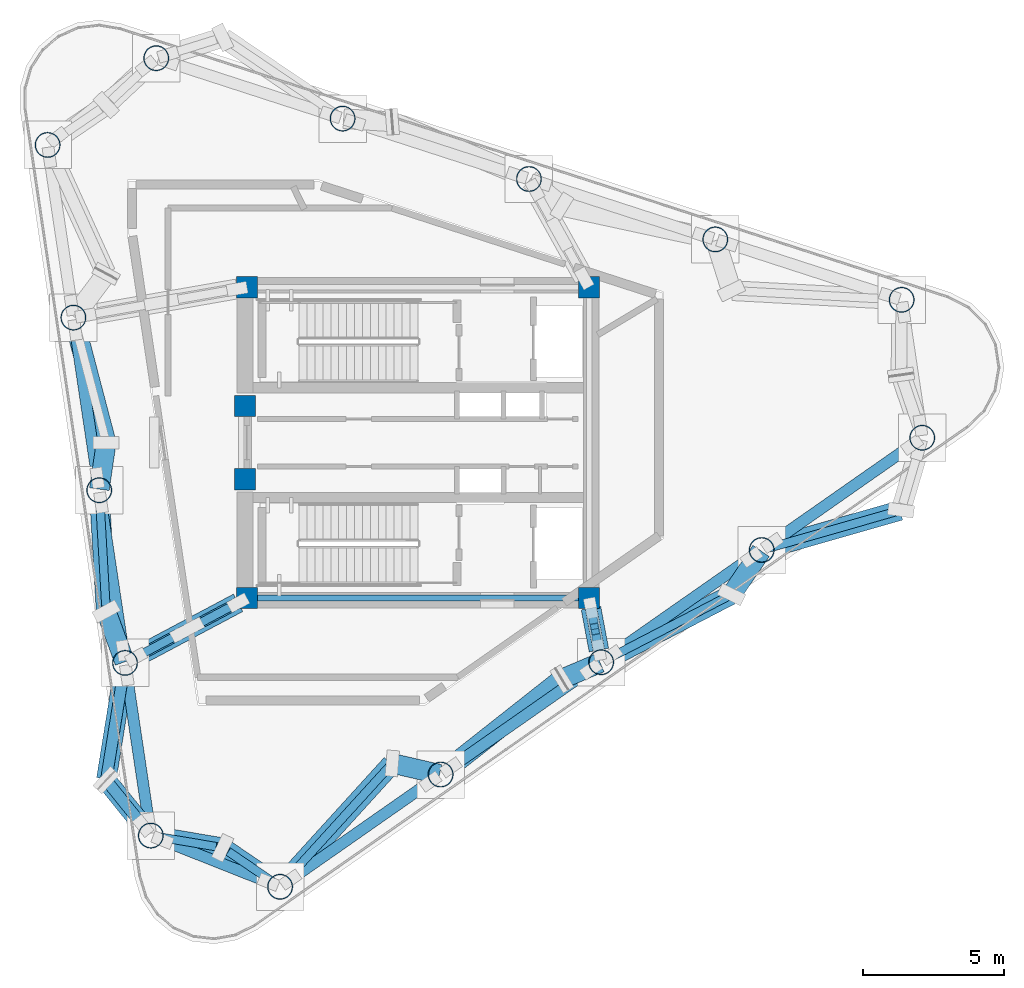
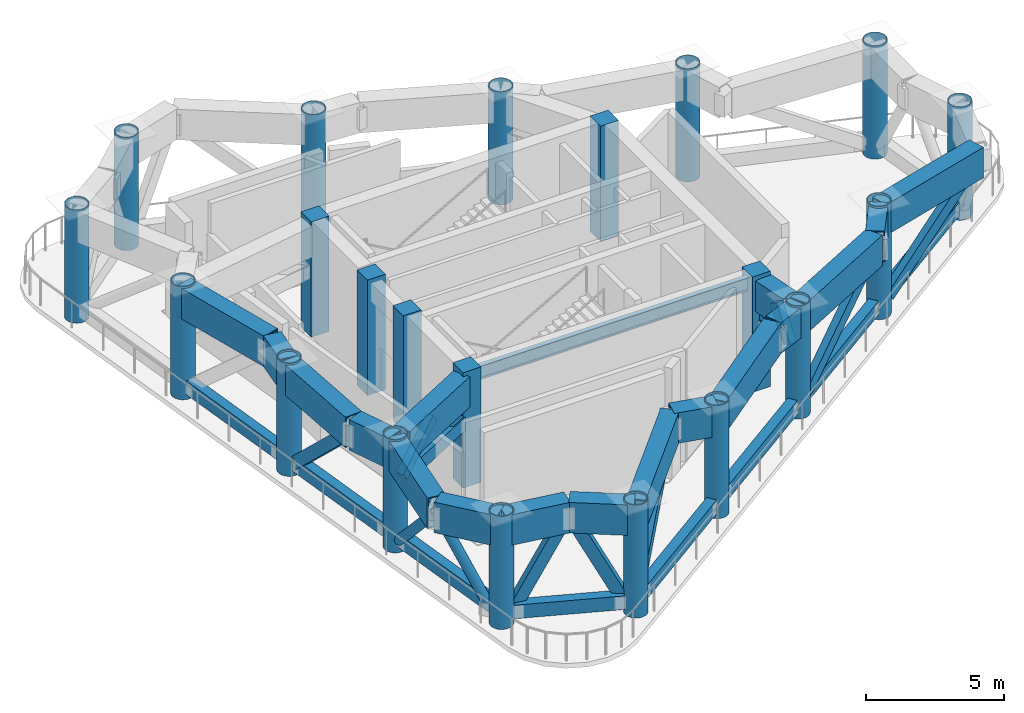
# One storey, part 1 of 9: 22 members, 21 columns, 18 beams.
"""IFC4 building model written with IfcOpenShell, lengths in metres."""

import ifcopenshell
import ifcopenshell.guid

model = None  # the IFC model being written
_history = None  # IfcOwnerHistory: only IFC2X3 demands one
_inside = {}  # id of a spatial element -> (the spatial element, [elements in it])
_under = {}  # id of a project, library or spatial element -> (it, [spatial elements below it])
_declared = {}  # id of a project -> (the project, [libraries it declares])
_typed = {}  # id of a type object -> (the type object, [elements of that type])
_made_of = {}  # id of a material, layer set ... -> (it, [elements and type objects made of it])


def new_model(schema):
    """Start an empty IFC model of exactly this schema.

    Asked for "IFC4X3", IfcOpenShell would pick the latest addendum, in which some entities
    have other attributes; the version numbers below select the first issue.
    IFC2X3 requires an IfcOwnerHistory on every rooted entity: one is made here for all.
    """
    global model, _history
    if schema == "IFC4X3":
        model = ifcopenshell.file(schema_version=(4, 3, 0, 0))
    else:
        model = ifcopenshell.file(schema=schema)
    _inside.clear()
    _under.clear()
    _declared.clear()
    _typed.clear()
    _made_of.clear()
    _history = None
    if model.schema == "IFC2X3":
        org = make("IfcOrganization", Name="unknown")
        user = make(
            "IfcPersonAndOrganization",
            ThePerson=make("IfcPerson", FamilyName="unknown"),
            TheOrganization=org,
        )
        app = make(
            "IfcApplication",
            ApplicationDeveloper=org,
            Version="unknown",
            ApplicationFullName="unknown",
            ApplicationIdentifier="unknown",
        )
        _history = make(
            "IfcOwnerHistory",
            OwningUser=user,
            OwningApplication=app,
            ChangeAction="ADDED",
            CreationDate=0,
        )
    return model


def make(cls, **values):
    """One entity of the class cls with the attributes given. An attribute that is None is left unset."""
    return model.create_entity(
        cls, **{name: value for name, value in values.items() if value is not None}
    )


def rooted(cls, **values):
    """An entity with a GlobalId (a new one), such as an element, a storey or a relation."""
    return make(cls, GlobalId=ifcopenshell.guid.new(), OwnerHistory=_history, **values)


def si_unit(unit_type, name, prefix=None):
    """IfcSIUnit, for example si_unit("LENGTHUNIT", "METRE", prefix="MILLI")."""
    return make("IfcSIUnit", UnitType=unit_type, Prefix=prefix, Name=name)


def assignment(units):
    """IfcUnitAssignment: the units of a project."""
    return None if units is None else make("IfcUnitAssignment", Units=units)


def point(xyz):
    """IfcCartesianPoint."""
    return None if xyz is None else make("IfcCartesianPoint", Coordinates=xyz)


def direction(xyz):
    """IfcDirection."""
    return None if xyz is None else make("IfcDirection", DirectionRatios=xyz)


def frame(location, z_axis=None, x_axis=None):
    """IfcAxis2Placement3D, a coordinate frame: its origin and axes. An axis left out is left unset."""
    return make(
        "IfcAxis2Placement3D",
        Location=point(location),
        Axis=direction(z_axis),
        RefDirection=direction(x_axis),
    )


def frame_2d(location, x_axis=None):
    """IfcAxis2Placement2D, a coordinate frame in the plane: its origin and x axis."""
    return make(
        "IfcAxis2Placement2D", Location=point(location), RefDirection=direction(x_axis)
    )


def origin():
    """The frame at (0, 0, 0) with its axes left unset."""
    return frame((0.0, 0.0, 0.0))


def origin_2d():
    """The frame at (0, 0) in the plane with its x axis left unset."""
    return frame_2d((0.0, 0.0))


def place(relative_to, where):
    """IfcLocalPlacement: puts the frame where relative to a parent placement (None: the world)."""
    return make(
        "IfcLocalPlacement", PlacementRelTo=relative_to, RelativePlacement=where
    )


def context(
    kind, dimensions, precision=None, world=None, true_north=None, identifier=None
):
    """IfcGeometricRepresentationContext, for example the 3D "Model" context."""
    return make(
        "IfcGeometricRepresentationContext",
        ContextIdentifier=identifier,
        ContextType=kind,
        CoordinateSpaceDimension=dimensions,
        Precision=precision,
        WorldCoordinateSystem=world,
        TrueNorth=true_north,
    )


def subcontext(parent, identifier, kind, view, scale=None):
    """IfcGeometricRepresentationSubContext, for example "Body" below "Model"."""
    return make(
        "IfcGeometricRepresentationSubContext",
        ContextIdentifier=identifier,
        ContextType=kind,
        ParentContext=parent,
        TargetScale=scale,
        TargetView=view,
    )


def project(units=None, contexts=None):
    """IfcProject with its units and contexts."""
    return rooted(
        "IfcProject",
        Name="project",
        RepresentationContexts=contexts,
        UnitsInContext=assignment(units),
    )


def spatial(cls, under=None, at=None, **own):
    """A site, building, storey or space (cls), placed at a placement, below another one or the project."""
    s = rooted(cls, ObjectPlacement=at, **own)
    if under is not None:
        _under.setdefault(under.id(), (under, []))[1].append(s)
    return s


def profile(cls, at=None, kind="AREA", **sizes):
    """A parametric profile (cls). Its sizes go by their IFC names, for example OverallWidth=200.0."""
    return make(cls, ProfileType=kind, Position=at, **sizes)


def rectangle(**sizes):
    """IfcRectangleProfileDef."""
    return profile("IfcRectangleProfileDef", **sizes)


def hollow_rectangle(**sizes):
    """IfcRectangleHollowProfileDef."""
    return profile("IfcRectangleHollowProfileDef", **sizes)


def hollow_circle(**sizes):
    """IfcCircleHollowProfileDef."""
    return profile("IfcCircleHollowProfileDef", **sizes)


def i_section(**sizes):
    """IfcIShapeProfileDef."""
    return profile("IfcIShapeProfileDef", **sizes)


def extrude(swept, where, along, depth):
    """IfcExtrudedAreaSolid: the profile swept, set in the frame where, extruded along a direction by depth."""
    return make(
        "IfcExtrudedAreaSolid",
        SweptArea=swept,
        Position=where,
        ExtrudedDirection=direction(along),
        Depth=depth,
    )


def shape(context_of_items, identifier, shape_type, items):
    """IfcShapeRepresentation: the items that make up one representation, for example the "Body"."""
    return make(
        "IfcShapeRepresentation",
        ContextOfItems=context_of_items,
        RepresentationIdentifier=identifier,
        RepresentationType=shape_type,
        Items=items,
    )


def source(mapping_origin, context_of_items, identifier, shape_type, items):
    """IfcRepresentationMap: a shape defined once, which mapped items show again and again."""
    return make(
        "IfcRepresentationMap",
        MappingOrigin=mapping_origin,
        MappedRepresentation=shape(context_of_items, identifier, shape_type, items),
    )


def transform(
    local_origin,
    x_axis=None,
    y_axis=None,
    z_axis=None,
    scale=None,
    scale2=None,
    scale3=None,
    uniform=True,
):
    """IfcCartesianTransformationOperator3D, or its non-uniform kind. x_axis, y_axis, z_axis: its Axis1, 2, 3."""
    if uniform:
        return make(
            "IfcCartesianTransformationOperator3D",
            Axis1=direction(x_axis),
            Axis2=direction(y_axis),
            LocalOrigin=point(local_origin),
            Scale=scale,
            Axis3=direction(z_axis),
        )
    return make(
        "IfcCartesianTransformationOperator3DnonUniform",
        Axis1=direction(x_axis),
        Axis2=direction(y_axis),
        LocalOrigin=point(local_origin),
        Scale=scale,
        Axis3=direction(z_axis),
        Scale2=scale2,
        Scale3=scale3,
    )


def mapped(mapping_source, mapping_target):
    """IfcMappedItem: shows the shape of a source again, moved by a transform."""
    return make(
        "IfcMappedItem", MappingSource=mapping_source, MappingTarget=mapping_target
    )


def material(Name=None, Category=None):
    """IfcMaterial."""
    return make("IfcMaterial", Name=Name, Category=Category)


def material_profile(
    of_material, cross_section, Name=None, Category=None, Priority=None
):
    """IfcMaterialProfile: a cross section and its material."""
    return make(
        "IfcMaterialProfile",
        Name=Name,
        Material=of_material,
        Profile=cross_section,
        Priority=Priority,
        Category=Category,
    )


def profile_set(profiles, Name=None, composite=None):
    """IfcMaterialProfileSet."""
    return make(
        "IfcMaterialProfileSet",
        Name=Name,
        MaterialProfiles=profiles,
        CompositeProfile=composite,
    )


def made_of(thing, what):
    """Note that an element or type object is made of a material, layer set ...; save() writes the relation."""
    if what is not None:
        _made_of.setdefault(what.id(), (what, []))[1].append(thing)
    return thing


def type_object(cls, material=None, **own):
    """A type object (cls), such as IfcWallType, which elements share."""
    return made_of(rooted(cls, **own), material)


def element(
    cls,
    number,
    at=None,
    inside=None,
    cuts=None,
    type_object=None,
    material=None,
    context=None,
    identifier="Body",
    shape_type=None,
    held_by="IfcProductDefinitionShape",
    body=None,
    shapes=None,
    **own,
):
    """One element of the class cls, such as IfcWall. Its Tag is "e" and its number.

    at: its placement. inside: the storey or other place that contains it. cuts: it is an
    opening in that element (IfcRelVoidsElement). A single representation is given by context,
    identifier, shape_type and body (its items); several are given by shapes. held_by: the class
    of the entity that holds the representations. save() writes the other relations.
    """
    e = rooted(cls, Tag="e%d" % number, ObjectPlacement=at, **own)
    if body is not None:
        shapes = [shape(context, identifier, shape_type, body)]
    if shapes is not None:
        e.Representation = make(held_by, Representations=shapes)
    if inside is not None:
        _inside.setdefault(inside.id(), (inside, []))[1].append(e)
    if cuts is not None:
        rooted(
            "IfcRelVoidsElement", RelatingBuildingElement=cuts, RelatedOpeningElement=e
        )
    if type_object is not None:
        _typed.setdefault(type_object.id(), (type_object, []))[1].append(e)
    return made_of(e, material)


def aggregate(whole, parts):
    """IfcRelAggregates: a whole, such as a stair, and the parts it consists of."""
    return rooted("IfcRelAggregates", RelatingObject=whole, RelatedObjects=parts)


def save(model, path):
    """Write the relations noted so far, then the file.

    IfcRelAggregates (storeys below a building ...), IfcRelContainedInSpatialStructure (elements
    in a storey), IfcRelDefinesByType, IfcRelAssociatesMaterial and IfcRelDeclares: one each for
    every whole, place, type object, material and project.
    """
    for whole, parts in _under.values():
        aggregate(whole, parts)
    for where, things in _inside.values():
        rooted(
            "IfcRelContainedInSpatialStructure",
            RelatedElements=things,
            RelatingStructure=where,
        )
    for kind, things in _typed.values():
        rooted("IfcRelDefinesByType", RelatedObjects=things, RelatingType=kind)
    for what, things in _made_of.values():
        rooted("IfcRelAssociatesMaterial", RelatedObjects=things, RelatingMaterial=what)
    for by, libraries in _declared.values():
        rooted("IfcRelDeclares", RelatingContext=by, RelatedDefinitions=libraries)
    model.write(path)


model = new_model("IFC4")

# Units and contexts
model_context = context("Model", 3, precision=1e-05, world=origin(), true_north=direction((0.0, 1.0)))
body_context = subcontext(model_context, "Body", "Model", "MODEL_VIEW")
ifc_project = project(units=[si_unit("LENGTHUNIT", "METRE"), si_unit("AREAUNIT", "SQUARE_METRE"), si_unit("VOLUMEUNIT", "CUBIC_METRE"), si_unit("PLANEANGLEUNIT", "RADIAN"), si_unit("MASSUNIT", "GRAM", prefix="KILO")], contexts=[model_context])

# Site, building, storey
site_placement = place(None, origin())
site = spatial("IfcSite", under=ifc_project, at=site_placement, CompositionType="ELEMENT")
building_placement = place(site_placement, origin())
building = spatial("IfcBuilding", under=site, at=building_placement, Name="Yunling Apex Tower", CompositionType="ELEMENT")
storey_placement = place(building_placement, frame((0.0, 0.0, 284.75)))
storey = spatial("IfcBuildingStorey", under=building, at=storey_placement, Name="RF8", CompositionType="ELEMENT", Elevation=284.75)

# Columns
ifc_material_1 = material(Name="Concrete C50", Category="concrete")
ifc_material_profile_1 = material_profile(ifc_material_1, rectangle(XDim=0.75, YDim=0.75, at=origin_2d()))
ifc_profile_set_1 = profile_set([ifc_material_profile_1], Name="Concrete C50")
column_type_1 = type_object("IfcColumnType", Name="PC-SRC-4", PredefinedType="COLUMN", material=ifc_profile_set_1)
shared_shape_1 = source(origin(), body_context, "Body", "SweptSolid", [
    extrude(rectangle(XDim=0.75, YDim=0.75, at=origin_2d()), origin(), (0.0, 0.0, 1.0), 5.10009765625),
])
for number, where, z_axis, x_axis, name in (
    (1, (-6.050048828125, -5.5, 0.0), (0.0, 0.0, 1.0), (1.0, 0.0, 0.0), "RF8 Core Spine Column CC-SW"),
    (2, (6.050048828125, -5.5, 0.0), (0.0, 0.0, 1.0), (1.0, 0.0, 0.0), "RF8 Core Spine Column CC-SE"),
    (3, (6.050048828125, 5.5, 0.0), (0.0, 0.0, 1.0), (1.0, 0.0, 0.0), "RF8 Core Spine Column CC-NE"),
    (4, (-6.050048828125, 5.5, 0.0), (0.0, 0.0, 1.0), (1.0, 0.0, 0.0), "RF8 Core Spine Column CC-NW"),
    (5, (-6.125, -1.300048828125, 0.0), (0.0, 0.0, 1.0), (1.0, 0.0, 0.0), "RF8 Core West Portal Jamb Column S"),
    (6, (-6.125, 1.300048828125, 0.0), (0.0, 0.0, 1.0), (1.0, 0.0, 0.0), "RF8 Core West Portal Jamb Column N"),
):
    element("IfcColumn", number, at=place(storey_placement, frame(where, z_axis=z_axis, x_axis=x_axis)), inside=storey, type_object=column_type_1, Name=name, PredefinedType="COLUMN", context=body_context, shape_type="MappedRepresentation", body=[
        mapped(shared_shape_1, transform((0.0, 0.0, 0.0), scale=1.0)),
    ])
ifc_material_2 = material(Name="Steel Q355B", Category="steel")
ifc_material_profile_2 = material_profile(ifc_material_2, hollow_circle(Radius=0.449951171875, WallThickness=0.031982421875, at=origin_2d()))
ifc_profile_set_2 = profile_set([ifc_material_profile_2], Name="Steel Q355B")
column_type_2 = type_object("IfcColumnType", Name="MC-CFST-6", PredefinedType="COLUMN", material=ifc_profile_set_2)
shared_shape_2 = source(origin(), body_context, "Body", "SweptSolid", [
    extrude(hollow_circle(Radius=0.449951171875, WallThickness=0.031982421875, at=origin_2d()), origin(), (0.0, 0.0, 1.0), 5.0),
])
for number, where, z_axis, x_axis, name in (
    (7, (-4.8837890625, -15.716796875, 0.0), (0.0, 0.0, 1.0), (1.0, 0.0, 0.0), "RF8 Lower-Block CFST Column P01"),
    (8, (0.797119140625, -11.744873046875, 0.0), (0.0, 0.0, 1.0), (1.0, 0.0, 0.0), "RF8 Lower-Block CFST Column P02"),
    (9, (6.47802734375, -7.77294921875, 0.0), (0.0, 0.0, 1.0), (1.0, 0.0, 0.0), "RF8 Lower-Block CFST Column P03"),
    (10, (12.15869140625, -3.801025390625, 0.0), (0.0, 0.0, 1.0), (1.0, 0.0, 0.0), "RF8 Lower-Block CFST Column P04"),
    (11, (17.839599609375, 0.1708984375, 0.0), (0.0, 0.0, 1.0), (1.0, 0.0, 0.0), "RF8 Lower-Block CFST Column P05"),
    (12, (17.110107421875, 5.052490234375, 0.0), (0.0, 0.0, 1.0), (1.0, 0.0, 0.0), "RF8 Lower-Block CFST Column P06"),
    (13, (10.51611328125, 7.18994140625, 0.0), (0.0, 0.0, 1.0), (1.0, 0.0, 0.0), "RF8 Lower-Block CFST Column P07"),
    (14, (3.92236328125, 9.327392578125, 0.0), (0.0, 0.0, 1.0), (1.0, 0.0, 0.0), "RF8 Lower-Block CFST Column P08"),
    (15, (-2.671630859375, 11.46484375, 0.0), (0.0, 0.0, 1.0), (1.0, 0.0, 0.0), "RF8 Lower-Block CFST Column P09"),
    (16, (-9.265625, 13.602294921875, 0.0), (0.0, 0.0, 1.0), (1.0, 0.0, 0.0), "RF8 Lower-Block CFST Column P10"),
    (17, (-13.10986328125, 10.532470703125, 0.0), (0.0, 0.0, 1.0), (1.0, 0.0, 0.0), "RF8 Lower-Block CFST Column P11"),
    (18, (-12.19677734375, 4.423095703125, 0.0), (0.0, 0.0, 1.0), (1.0, 0.0, 0.0), "RF8 Lower-Block CFST Column P12"),
    (19, (-11.28369140625, -1.686279296875, 0.0), (0.0, 0.0, 1.0), (1.0, 0.0, 0.0), "RF8 Lower-Block CFST Column P13"),
    (20, (-10.37060546875, -7.7958984375, 0.0), (0.0, 0.0, 1.0), (1.0, 0.0, 0.0), "RF8 Lower-Block CFST Column P14"),
    (21, (-9.45751953125, -13.9052734375, 0.0), (0.0, 0.0, 1.0), (1.0, 0.0, 0.0), "RF8 Lower-Block CFST Column P15"),
):
    element("IfcColumn", number, at=place(storey_placement, frame(where, z_axis=z_axis, x_axis=x_axis)), inside=storey, type_object=column_type_2, Name=name, PredefinedType="COLUMN", context=body_context, shape_type="MappedRepresentation", body=[
        mapped(shared_shape_2, transform((0.0, 0.0, 0.0), scale=1.0)),
    ])

# Beam
ifc_material_profile_3 = material_profile(ifc_material_2, i_section(OverallWidth=0.199951171875, OverallDepth=0.60009765625, WebThickness=0.010986328125, FlangeThickness=0.01708984375, FilletRadius=0.02197265625, at=origin_2d()))
ifc_profile_set_3 = profile_set([ifc_material_profile_3], Name="Steel Q355B")
beam_type_1 = type_object("IfcBeamType", Name="BG-PRI-5", PredefinedType="USERDEFINED", material=ifc_profile_set_3)
shared_shape_3 = source(origin(), body_context, "Body", "SweptSolid", [
    extrude(i_section(OverallWidth=0.199951171875, OverallDepth=0.60009765625, WebThickness=0.010986328125, FlangeThickness=0.01708984375, FilletRadius=0.02197265625, at=origin_2d()), origin(), (0.0, 0.0, 1.0), 11.7998046875),
])
beam_1_placement = place(storey_placement, frame((-5.89990234375, -5.5, 4.6201171875), z_axis=(1.0, 0.0, 0.0), x_axis=(0.0, 1.0, 0.0)))
element("IfcBeam", 22, at=beam_1_placement, inside=storey, type_object=beam_type_1, Name="RF8 Core Ring Tie Beam 1", ObjectType="GIRDER", PredefinedType="USERDEFINED", context=body_context, shape_type="MappedRepresentation", body=[
    mapped(shared_shape_3, transform((0.0, 0.0, 0.0), scale=1.0)),
])

# Members
ifc_material_profile_4 = material_profile(ifc_material_2, hollow_rectangle(XDim=0.300048828125, YDim=0.5, WallThickness=0.02197265625, at=origin_2d()))
ifc_profile_set_4 = profile_set([ifc_material_profile_4], Name="Steel Q355B")
member_type_1 = type_object("IfcMemberType", Name="BR-BLT-2", PredefinedType="BRACE", material=ifc_profile_set_4)
shared_shape_4 = source(origin(), body_context, "Body", "SweptSolid", [
    extrude(hollow_rectangle(XDim=0.300048828125, YDim=0.5, WallThickness=0.02197265625, at=origin_2d()), origin(), (0.0, 0.0, 1.0), 4.19921875),
])
member_1_placement = place(storey_placement, frame((-5.247802734375, -15.469482421875, 0.550048828125), z_axis=(-0.392855403888, 0.267097487859, 0.879956569164), x_axis=(-0.562246415936, -0.826969750213, 0.0)))
element("IfcMember", 23, at=member_1_placement, inside=storey, type_object=member_type_1, Name="RF8 Belt-Truss Diagonal 1-1", PredefinedType="BRACE", context=body_context, shape_type="MappedRepresentation", body=[
    mapped(shared_shape_4, transform((0.0, 0.0, 0.0), scale=1.0)),
])
ifc_material_profile_5 = material_profile(ifc_material_2, hollow_rectangle(XDim=0.39990234375, YDim=0.60009765625, WallThickness=0.030029296875, at=origin_2d()))
ifc_profile_set_5 = profile_set([ifc_material_profile_5], Name="Steel Q355B")
member_type_2 = type_object("IfcMemberType", Name="BT-CHD-2", PredefinedType="CHORD", material=ifc_profile_set_5)
shared_shape_5 = source(origin(), body_context, "Body", "SweptSolid", [
    extrude(hollow_rectangle(XDim=0.39990234375, YDim=0.60009765625, WallThickness=0.030029296875, at=origin_2d()), origin(), (0.0, 0.0, 1.0), 6.047607421875),
])
member_2_placement = place(storey_placement, frame((-4.521484375, -15.463623046875, 0.550048828125), z_axis=(0.819548522857, 0.573009789342, 0.0), x_axis=(-0.573009789342, 0.819548522857, 0.0)))
element("IfcMember", 24, at=member_2_placement, inside=storey, type_object=member_type_2, Name="RF8 Belt-Truss Bottom Chord 1", PredefinedType="CHORD", context=body_context, shape_type="MappedRepresentation", body=[
    mapped(shared_shape_5, transform((0.0, 0.0, 0.0), scale=1.0)),
])
shared_shape_6 = source(origin(), body_context, "Body", "SweptSolid", [
    extrude(hollow_rectangle(XDim=0.39990234375, YDim=0.60009765625, WallThickness=0.030029296875, at=origin_2d()), origin(), (0.0, 0.0, 1.0), 6.0478515625),
])
for number, where, z_axis, x_axis, name in (
    (25, (1.1591796875, -11.49169921875, 0.550048828125), (0.819561777248, 0.572990831754, 0.0), (-0.572990831754, 0.819561777248, 0.0), "RF8 Belt-Truss Bottom Chord 2"),
    (26, (6.840087890625, -7.519775390625, 0.550048828125), (0.819561777248, 0.572990831754, 0.0), (-0.572990831754, 0.819561777248, 0.0), "RF8 Belt-Truss Bottom Chord 3"),
    (27, (12.52099609375, -3.5478515625, 0.550048828125), (0.819561777248, 0.572990831754, 0.0), (-0.572990831754, 0.819561777248, 0.0), "RF8 Belt-Truss Bottom Chord 4"),
):
    element("IfcMember", number, at=place(storey_placement, frame(where, z_axis=z_axis, x_axis=x_axis)), inside=storey, type_object=member_type_2, Name=name, PredefinedType="CHORD", context=body_context, shape_type="MappedRepresentation", body=[
        mapped(shared_shape_6, transform((0.0, 0.0, 0.0), scale=1.0)),
    ])
shared_shape_7 = source(origin(), body_context, "Body", "SweptSolid", [
    extrude(hollow_rectangle(XDim=0.39990234375, YDim=0.60009765625, WallThickness=0.030029296875, at=origin_2d()), origin(), (0.0, 0.0, 1.0), 5.293212890625),
])
for number, where, z_axis, x_axis, name in (
    (28, (-12.13134765625, 3.98583984375, 0.550048828125), (0.147778830751, -0.989020433147, 0.0), (0.989020433147, 0.147778830751, 0.0), "RF8 Belt-Truss Bottom Chord 12"),
    (29, (-11.218505859375, -2.12353515625, 0.550048828125), (0.147869060835, -0.989006946815, 0.0), (0.989006946815, 0.147869060835, 0.0), "RF8 Belt-Truss Bottom Chord 13"),
    (30, (-10.305419921875, -8.23291015625, 0.550048828125), (0.147823946255, -0.989013690964, 0.0), (0.989013690964, 0.147823946255, 0.0), "RF8 Belt-Truss Bottom Chord 14"),
):
    element("IfcMember", number, at=place(storey_placement, frame(where, z_axis=z_axis, x_axis=x_axis)), inside=storey, type_object=member_type_2, Name=name, PredefinedType="CHORD", context=body_context, shape_type="MappedRepresentation", body=[
        mapped(shared_shape_7, transform((0.0, 0.0, 0.0), scale=1.0)),
    ])
shared_shape_8 = source(origin(), body_context, "Body", "SweptSolid", [
    extrude(hollow_rectangle(XDim=0.39990234375, YDim=0.60009765625, WallThickness=0.030029296875, at=origin_2d()), origin(), (0.0, 0.0, 1.0), 4.03564453125),
])
member_3_placement = place(storey_placement, frame((-9.046630859375, -14.068115234375, 0.550048828125), z_axis=(0.929727229491, -0.368248935835, 0.0), x_axis=(0.368248935835, 0.929727229491, 0.0)))
element("IfcMember", 31, at=member_3_placement, inside=storey, type_object=member_type_2, Name="RF8 Belt-Truss Bottom Chord 15", PredefinedType="CHORD", context=body_context, shape_type="MappedRepresentation", body=[
    mapped(shared_shape_8, transform((0.0, 0.0, 0.0), scale=1.0)),
])

# Beams
ifc_material_3 = material(Name="Steel Q390GJC", Category="steel")
ifc_material_profile_6 = material_profile(ifc_material_3, hollow_rectangle(XDim=0.699951171875, YDim=1.35009765625, WallThickness=0.044921875, at=origin_2d()))
ifc_profile_set_6 = profile_set([ifc_material_profile_6], Name="Steel Q390GJC")
beam_type_2 = type_object("IfcBeamType", Name="BTRNG-2", PredefinedType="USERDEFINED", material=ifc_profile_set_6)
shared_shape_9 = source(origin(), body_context, "Body", "SweptSolid", [
    extrude(hollow_rectangle(XDim=0.699951171875, YDim=1.35009765625, WallThickness=0.044921875, at=origin_2d()), origin(), (0.0, 0.0, 1.0), 4.213134765625),
])
beam_2_placement = place(storey_placement, frame((-11.281494140625, -1.726318359375, 4.2451171875), z_axis=(0.057424383879, -0.998349858585, 0.0), x_axis=(0.998349858585, 0.057424383879, 0.0)))
element("IfcBeam", 32, at=beam_2_placement, inside=storey, type_object=beam_type_2, Name="RF8 Panel-Split Box Ring Transfer Girder 1", ObjectType="GIRDER", PredefinedType="USERDEFINED", context=body_context, shape_type="MappedRepresentation", body=[
    mapped(shared_shape_9, transform((0.0, 0.0, 0.0), scale=1.0)),
])
shared_shape_10 = source(origin(), body_context, "Body", "SweptSolid", [
    extrude(hollow_rectangle(XDim=0.699951171875, YDim=1.35009765625, WallThickness=0.044921875, at=origin_2d()), origin(), (0.0, 0.0, 1.0), 1.861328125),
])
beam_3_placement = place(storey_placement, frame((-11.023681640625, -6.01025390625, 4.2451171875), z_axis=(0.343522279037, -0.939144527645, 0.0), x_axis=(0.939144527645, 0.343522279037, 0.0)))
element("IfcBeam", 33, at=beam_3_placement, inside=storey, type_object=beam_type_2, Name="RF8 Panel-Split Box Ring Transfer Girder 2", ObjectType="GIRDER", PredefinedType="USERDEFINED", context=body_context, shape_type="MappedRepresentation", body=[
    mapped(shared_shape_10, transform((0.0, 0.0, 0.0), scale=1.0)),
])
shared_shape_11 = source(origin(), body_context, "Body", "SweptSolid", [
    extrude(hollow_rectangle(XDim=0.699951171875, YDim=1.35009765625, WallThickness=0.044921875, at=origin_2d()), origin(), (0.0, 0.0, 1.0), 4.122802734375),
])
beam_4_placement = place(storey_placement, frame((-10.376953125, -7.835205078125, 4.2451171875), z_axis=(-0.158644077816, -0.987335837785, 0.0), x_axis=(0.987335837785, -0.158644077816, 0.0)))
element("IfcBeam", 34, at=beam_4_placement, inside=storey, type_object=beam_type_2, Name="RF8 Panel-Split Box Ring Transfer Girder 3", ObjectType="GIRDER", PredefinedType="USERDEFINED", context=body_context, shape_type="MappedRepresentation", body=[
    mapped(shared_shape_11, transform((0.0, 0.0, 0.0), scale=1.0)),
])
shared_shape_12 = source(origin(), body_context, "Body", "SweptSolid", [
    extrude(hollow_rectangle(XDim=0.699951171875, YDim=1.35009765625, WallThickness=0.044921875, at=origin_2d()), origin(), (0.0, 0.0, 1.0), 2.437255859375),
])
beam_5_placement = place(storey_placement, frame((-11.01220703125, -11.976318359375, 4.2451171875), z_axis=(0.627537064952, -0.778586688886, 0.0), x_axis=(0.778586688886, 0.627537064952, 0.0)))
element("IfcBeam", 35, at=beam_5_placement, inside=storey, type_object=beam_type_2, Name="RF8 Panel-Split Box Ring Transfer Girder 4", ObjectType="GIRDER", PredefinedType="USERDEFINED", context=body_context, shape_type="MappedRepresentation", body=[
    mapped(shared_shape_12, transform((0.0, 0.0, 0.0), scale=1.0)),
])
shared_shape_13 = source(origin(), body_context, "Body", "SweptSolid", [
    extrude(hollow_rectangle(XDim=0.699951171875, YDim=1.35009765625, WallThickness=0.044921875, at=origin_2d()), origin(), (0.0, 0.0, 1.0), 2.5),
])
beam_6_placement = place(storey_placement, frame((-9.418212890625, -13.911865234375, 4.2451171875), z_axis=(0.985909363826, -0.167280382353, 0.0), x_axis=(0.167280382353, 0.985909363826, 0.0)))
element("IfcBeam", 36, at=beam_6_placement, inside=storey, type_object=beam_type_2, Name="RF8 Panel-Split Box Ring Transfer Girder 5", ObjectType="GIRDER", PredefinedType="USERDEFINED", context=body_context, shape_type="MappedRepresentation", body=[
    mapped(shared_shape_13, transform((0.0, 0.0, 0.0), scale=1.0)),
])
shared_shape_14 = source(origin(), body_context, "Body", "SweptSolid", [
    extrude(hollow_rectangle(XDim=0.699951171875, YDim=1.35009765625, WallThickness=0.044921875, at=origin_2d()), origin(), (0.0, 0.0, 1.0), 2.374755859375),
])
beam_7_placement = place(storey_placement, frame((-6.880859375, -14.359130859375, 4.2451171875), z_axis=(0.82697047886, -0.562245344217, 0.0), x_axis=(0.562245344217, 0.82697047886, 0.0)))
element("IfcBeam", 37, at=beam_7_placement, inside=storey, type_object=beam_type_2, Name="RF8 Panel-Split Box Ring Transfer Girder 6", ObjectType="GIRDER", PredefinedType="USERDEFINED", context=body_context, shape_type="MappedRepresentation", body=[
    mapped(shared_shape_14, transform((0.0, 0.0, 0.0), scale=1.0)),
])
shared_shape_15 = source(origin(), body_context, "Body", "SweptSolid", [
    extrude(hollow_rectangle(XDim=0.699951171875, YDim=1.35009765625, WallThickness=0.044921875, at=origin_2d()), origin(), (0.0, 0.0, 1.0), 5.8212890625),
])
beam_8_placement = place(storey_placement, frame((-4.85693359375, -15.687255859375, 4.2451171875), z_axis=(0.672693668099, 0.739921096401, 0.0), x_axis=(-0.739921096401, 0.672693668099, 0.0)))
element("IfcBeam", 38, at=beam_8_placement, inside=storey, type_object=beam_type_2, Name="RF8 Panel-Split Box Ring Transfer Girder 7", ObjectType="GIRDER", PredefinedType="USERDEFINED", context=body_context, shape_type="MappedRepresentation", body=[
    mapped(shared_shape_15, transform((0.0, 0.0, 0.0), scale=1.0)),
])
shared_shape_16 = source(origin(), body_context, "Body", "SweptSolid", [
    extrude(hollow_rectangle(XDim=0.699951171875, YDim=1.35009765625, WallThickness=0.044921875, at=origin_2d()), origin(), (0.0, 0.0, 1.0), 1.67578125),
])
beam_9_placement = place(storey_placement, frame((-0.875, -11.359375, 4.2451171875), z_axis=(0.974442730407, -0.224636072699, 0.0), x_axis=(0.224636072699, 0.974442730407, 0.0)))
element("IfcBeam", 39, at=beam_9_placement, inside=storey, type_object=beam_type_2, Name="RF8 Panel-Split Box Ring Transfer Girder 8", ObjectType="GIRDER", PredefinedType="USERDEFINED", context=body_context, shape_type="MappedRepresentation", body=[
    mapped(shared_shape_16, transform((0.0, 0.0, 0.0), scale=1.0)),
])
shared_shape_17 = source(origin(), body_context, "Body", "SweptSolid", [
    extrude(hollow_rectangle(XDim=0.699951171875, YDim=1.35009765625, WallThickness=0.044921875, at=origin_2d()), origin(), (0.0, 0.0, 1.0), 5.38134765625),
])
beam_10_placement = place(storey_placement, frame((0.82861328125, -11.72021484375, 4.2451171875), z_axis=(0.785358661454, 0.61904101066, 0.0), x_axis=(-0.61904101066, 0.785358661454, 0.0)))
element("IfcBeam", 40, at=beam_10_placement, inside=storey, type_object=beam_type_2, Name="RF8 Panel-Split Box Ring Transfer Girder 9", ObjectType="GIRDER", PredefinedType="USERDEFINED", context=body_context, shape_type="MappedRepresentation", body=[
    mapped(shared_shape_17, transform((0.0, 0.0, 0.0), scale=1.0)),
])
shared_shape_18 = source(origin(), body_context, "Body", "SweptSolid", [
    extrude(hollow_rectangle(XDim=0.699951171875, YDim=1.35009765625, WallThickness=0.044921875, at=origin_2d()), origin(), (0.0, 0.0, 1.0), 1.43212890625),
])
beam_11_placement = place(storey_placement, frame((5.123046875, -8.348388671875, 4.2451171875), z_axis=(0.920427547465, 0.390913199914, 0.0), x_axis=(-0.390913199914, 0.920427547465, 0.0)))
element("IfcBeam", 41, at=beam_11_placement, inside=storey, type_object=beam_type_2, Name="RF8 Panel-Split Box Ring Transfer Girder 10", ObjectType="GIRDER", PredefinedType="USERDEFINED", context=body_context, shape_type="MappedRepresentation", body=[
    mapped(shared_shape_18, transform((0.0, 0.0, 0.0), scale=1.0)),
])
shared_shape_19 = source(origin(), body_context, "Body", "SweptSolid", [
    extrude(hollow_rectangle(XDim=0.699951171875, YDim=1.35009765625, WallThickness=0.044921875, at=origin_2d()), origin(), (0.0, 0.0, 1.0), 5.11376953125),
])
beam_12_placement = place(storey_placement, frame((6.513427734375, -7.754638671875, 4.2451171875), z_axis=(0.887298863823, 0.461194889671, 0.0), x_axis=(-0.461194889671, 0.887298863823, 0.0)))
element("IfcBeam", 42, at=beam_12_placement, inside=storey, type_object=beam_type_2, Name="RF8 Panel-Split Box Ring Transfer Girder 11", ObjectType="GIRDER", PredefinedType="USERDEFINED", context=body_context, shape_type="MappedRepresentation", body=[
    mapped(shared_shape_19, transform((0.0, 0.0, 0.0), scale=1.0)),
])
shared_shape_20 = source(origin(), body_context, "Body", "SweptSolid", [
    extrude(hollow_rectangle(XDim=0.699951171875, YDim=1.35009765625, WallThickness=0.044921875, at=origin_2d()), origin(), (0.0, 0.0, 1.0), 1.82666015625),
])
beam_13_placement = place(storey_placement, frame((11.10888671875, -5.3447265625, 4.2451171875), z_axis=(0.562386785616, 0.826874297197, 0.0), x_axis=(-0.826874297197, 0.562386785616, 0.0)))
element("IfcBeam", 43, at=beam_13_placement, inside=storey, type_object=beam_type_2, Name="RF8 Panel-Split Box Ring Transfer Girder 12", ObjectType="GIRDER", PredefinedType="USERDEFINED", context=body_context, shape_type="MappedRepresentation", body=[
    mapped(shared_shape_20, transform((0.0, 0.0, 0.0), scale=1.0)),
])
shared_shape_21 = source(origin(), body_context, "Body", "SweptSolid", [
    extrude(hollow_rectangle(XDim=0.699951171875, YDim=1.35009765625, WallThickness=0.044921875, at=origin_2d()), origin(), (0.0, 0.0, 1.0), 5.04541015625),
])
beam_14_placement = place(storey_placement, frame((12.197265625, -3.7900390625, 4.2451171875), z_axis=(0.961445390013, 0.27499593092, 0.0), x_axis=(-0.27499593092, 0.961445390013, 0.0)))
element("IfcBeam", 44, at=beam_14_placement, inside=storey, type_object=beam_type_2, Name="RF8 Panel-Split Box Ring Transfer Girder 13", ObjectType="GIRDER", PredefinedType="USERDEFINED", context=body_context, shape_type="MappedRepresentation", body=[
    mapped(shared_shape_21, transform((0.0, 0.0, 0.0), scale=1.0)),
])
shared_shape_22 = source(origin(), body_context, "Body", "SweptSolid", [
    extrude(hollow_rectangle(XDim=0.699951171875, YDim=1.35009765625, WallThickness=0.044921875, at=origin_2d()), origin(), (0.0, 0.0, 1.0), 4.4921875),
])
beam_15_placement = place(storey_placement, frame((-12.1865234375, 4.38427734375, 4.2451171875), z_axis=(0.253580980706, -0.967314161079, 0.0), x_axis=(0.967314161079, 0.253580980706, 0.0)))
element("IfcBeam", 45, at=beam_15_placement, inside=storey, type_object=beam_type_2, Name="RF8 Panel-Split Box Ring Transfer Girder 29", ObjectType="GIRDER", PredefinedType="USERDEFINED", context=body_context, shape_type="MappedRepresentation", body=[
    mapped(shared_shape_22, transform((0.0, 0.0, 0.0), scale=1.0)),
])
shared_shape_23 = source(origin(), body_context, "Body", "SweptSolid", [
    extrude(hollow_rectangle(XDim=0.699951171875, YDim=1.35009765625, WallThickness=0.044921875, at=origin_2d()), origin(), (0.0, 0.0, 1.0), 1.624267578125),
])
beam_16_placement = place(storey_placement, frame((-11.043212890625, -0.03955078125, 4.2451171875), z_axis=(-0.144451008258, -0.989511953548, 0.0), x_axis=(0.989511953548, -0.144451008258, 0.0)))
element("IfcBeam", 46, at=beam_16_placement, inside=storey, type_object=beam_type_2, Name="RF8 Panel-Split Box Ring Transfer Girder 30", ObjectType="GIRDER", PredefinedType="USERDEFINED", context=body_context, shape_type="MappedRepresentation", body=[
    mapped(shared_shape_23, transform((0.0, 0.0, 0.0), scale=1.0)),
])

# Members
shared_shape_24 = source(origin(), body_context, "Body", "SweptSolid", [
    extrude(hollow_rectangle(XDim=0.300048828125, YDim=0.5, WallThickness=0.02197265625, at=origin_2d()), origin(), (0.0, 0.0, 1.0), 4.260009765625),
])
member_4_placement = place(storey_placement, frame((-9.023681640625, -13.978759765625, 0.550048828125), z_axis=(0.490627777731, -0.083270898381, 0.867381312458), x_axis=(0.167330220426, 0.985900906447, 0.0)))
element("IfcMember", 47, at=member_4_placement, inside=storey, type_object=member_type_1, Name="RF8 Belt-Truss Diagonal 1-2", PredefinedType="BRACE", context=body_context, shape_type="MappedRepresentation", body=[
    mapped(shared_shape_24, transform((0.0, 0.0, 0.0), scale=1.0)),
])
shared_shape_25 = source(origin(), body_context, "Body", "SweptSolid", [
    extrude(hollow_rectangle(XDim=0.300048828125, YDim=0.5, WallThickness=0.02197265625, at=origin_2d()), origin(), (0.0, 0.0, 1.0), 6.577392578125),
])
member_5_placement = place(storey_placement, frame((-4.587890625, -15.391357421875, 0.550048828125), z_axis=(0.556514727438, 0.612117946387, 0.561785526564), x_axis=(-0.739913680046, 0.672701825537, 0.0)))
element("IfcMember", 48, at=member_5_placement, inside=storey, type_object=member_type_1, Name="RF8 Belt-Truss Diagonal 2-1", PredefinedType="BRACE", context=body_context, shape_type="MappedRepresentation", body=[
    mapped(shared_shape_25, transform((0.0, 0.0, 0.0), scale=1.0)),
])
shared_shape_26 = source(origin(), body_context, "Body", "SweptSolid", [
    extrude(hollow_rectangle(XDim=0.300048828125, YDim=0.5, WallThickness=0.02197265625, at=origin_2d()), origin(), (0.0, 0.0, 1.0), 6.005126953125),
])
member_6_placement = place(storey_placement, frame((6.868408203125, -7.570068359375, 0.550048828125), z_axis=(0.699439054624, 0.36354243353, 0.615322604728), x_axis=(-0.461187089772, 0.887302917964, 0.0)))
element("IfcMember", 49, at=member_6_placement, inside=storey, type_object=member_type_1, Name="RF8 Belt-Truss Diagonal 4-1", PredefinedType="BRACE", context=body_context, shape_type="MappedRepresentation", body=[
    mapped(shared_shape_26, transform((0.0, 0.0, 0.0), scale=1.0)),
])
shared_shape_27 = source(origin(), body_context, "Body", "SweptSolid", [
    extrude(hollow_rectangle(XDim=0.300048828125, YDim=0.5, WallThickness=0.02197265625, at=origin_2d()), origin(), (0.0, 0.0, 1.0), 5.951416015625),
])
member_7_placement = place(storey_placement, frame((12.581787109375, -3.68017578125, 0.550048828125), z_axis=(0.753687826279, 0.215608948725, 0.620860243331), x_axis=(-0.275039033707, 0.96143306056, 0.0)))
element("IfcMember", 50, at=member_7_placement, inside=storey, type_object=member_type_1, Name="RF8 Belt-Truss Diagonal 5-2", PredefinedType="BRACE", context=body_context, shape_type="MappedRepresentation", body=[
    mapped(shared_shape_27, transform((0.0, 0.0, 0.0), scale=1.0)),
])
shared_shape_28 = source(origin(), body_context, "Body", "SweptSolid", [
    extrude(hollow_rectangle(XDim=0.300048828125, YDim=0.5, WallThickness=0.02197265625, at=origin_2d()), origin(), (0.0, 0.0, 1.0), 5.32421875),
])
member_8_placement = place(storey_placement, frame((-11.25830078125, -2.125732421875, 0.550048828125), z_axis=(0.041315253279, -0.718775355334, 0.694013716299), x_axis=(0.998352103446, 0.057385342597, 0.0)))
element("IfcMember", 51, at=member_8_placement, inside=storey, type_object=member_type_1, Name="RF8 Belt-Truss Diagonal 14-1", PredefinedType="BRACE", context=body_context, shape_type="MappedRepresentation", body=[
    mapped(shared_shape_28, transform((0.0, 0.0, 0.0), scale=1.0)),
])
ifc_material_profile_7 = material_profile(ifc_material_2, hollow_circle(Radius=0.202880859375, WallThickness=0.01611328125, at=origin_2d()))
ifc_profile_set_7 = profile_set([ifc_material_profile_7], Name="Steel Q355B")
member_type_3 = type_object("IfcMemberType", Name="BR-PER-3", PredefinedType="BRACE", material=ifc_profile_set_7)
shared_shape_29 = source(origin(), body_context, "Body", "SweptSolid", [
    extrude(hollow_circle(Radius=0.202880859375, WallThickness=0.01611328125, at=origin_2d()), origin(), (0.0, 0.0, 1.0), 4.229248046875),
])
member_9_placement = place(storey_placement, frame((-9.733642578125, -13.5625, 0.550048828125), z_axis=(-0.305263196669, 0.378750346699, 0.873706218151), x_axis=(-0.778594453974, -0.627527430668, 0.0)))
element("IfcMember", 52, at=member_9_placement, inside=storey, type_object=member_type_3, Name="RF8 Belt-Truss Diagonal 15-1", PredefinedType="BRACE", context=body_context, shape_type="MappedRepresentation", body=[
    mapped(shared_shape_29, transform((0.0, 0.0, 0.0), scale=1.0)),
])
shared_shape_30 = source(origin(), body_context, "Body", "SweptSolid", [
    extrude(hollow_circle(Radius=0.202880859375, WallThickness=0.01611328125, at=origin_2d()), origin(), (0.0, 0.0, 1.0), 5.259521484375),
])
member_10_placement = place(storey_placement, frame((-10.4404296875, -8.230224609375, 0.550048828125), z_axis=(-0.11289287028, -0.702609574241, 0.702563154475), x_axis=(0.987336210373, -0.158641758961, 0.0)))
element("IfcMember", 53, at=member_10_placement, inside=storey, type_object=member_type_3, Name="RF8 Belt-Truss Diagonal 15-2", PredefinedType="BRACE", context=body_context, shape_type="MappedRepresentation", body=[
    mapped(shared_shape_30, transform((0.0, 0.0, 0.0), scale=1.0)),
])

# Beam
shared_shape_31 = source(origin(), body_context, "Body", "SweptSolid", [
    extrude(hollow_rectangle(XDim=0.699951171875, YDim=1.35009765625, WallThickness=0.044921875, at=origin_2d()), origin(), (0.0, 0.0, 1.0), 4.092529296875),
])
beam_17_placement = place(storey_placement, frame((-6.367919921875, -5.6689453125, 4.2451171875), z_axis=(-0.883068600054, -0.469243910561, 0.0), x_axis=(0.469243910561, -0.883068600054, 0.0)))
element("IfcBeam", 54, at=beam_17_placement, inside=storey, type_object=beam_type_2, Name="RF8 Radial Outrigger Top Girder 1", ObjectType="GIRDER", PredefinedType="USERDEFINED", context=body_context, shape_type="MappedRepresentation", body=[
    mapped(shared_shape_31, transform((0.0, 0.0, 0.0), scale=1.0)),
])

# Members
shared_shape_32 = source(origin(), body_context, "Body", "SweptSolid", [
    extrude(hollow_rectangle(XDim=0.39990234375, YDim=0.60009765625, WallThickness=0.030029296875, at=origin_2d()), origin(), (0.0, 0.0, 1.0), 4.092529296875),
])
member_11_placement = place(storey_placement, frame((-6.367919921875, -5.6689453125, 2.820068359375), z_axis=(-0.883068600054, -0.469243910561, 0.0), x_axis=(0.469243910561, -0.883068600054, 0.0)))
element("IfcMember", 55, at=member_11_placement, inside=storey, type_object=member_type_2, Name="RF8 Radial Outrigger Lower Chord 1", PredefinedType="CHORD", context=body_context, shape_type="MappedRepresentation", body=[
    mapped(shared_shape_32, transform((0.0, 0.0, 0.0), scale=1.0)),
])
ifc_material_profile_8 = material_profile(ifc_material_2, hollow_rectangle(XDim=0.300048828125, YDim=0.449951171875, WallThickness=0.02001953125, at=origin_2d()))
ifc_profile_set_8 = profile_set([ifc_material_profile_8], Name="Steel Q355B")
member_type_4 = type_object("IfcMemberType", Name="BR-OUT-2", PredefinedType="BRACE", material=ifc_profile_set_8)
shared_shape_33 = source(origin(), body_context, "Body", "SweptSolid", [
    extrude(hollow_rectangle(XDim=0.300048828125, YDim=0.449951171875, WallThickness=0.02001953125, at=origin_2d()), origin(), (0.0, 0.0, 1.0), 2.493408203125),
])
member_12_placement = place(storey_placement, frame((-6.367919921875, -5.6689453125, 2.820068359375), z_axis=(-0.724635152639, -0.385081753186, 0.571503227395), x_axis=(0.469268631071, -0.883055463656, 0.0)))
element("IfcMember", 56, at=member_12_placement, inside=storey, type_object=member_type_4, Name="RF8 Outrigger Inner Diagonal 1A", PredefinedType="BRACE", context=body_context, shape_type="MappedRepresentation", body=[
    mapped(shared_shape_33, transform((0.0, 0.0, 0.0), scale=1.0)),
])
shared_shape_34 = source(origin(), body_context, "Body", "SweptSolid", [
    extrude(hollow_rectangle(XDim=0.300048828125, YDim=0.449951171875, WallThickness=0.02001953125, at=origin_2d()), origin(), (0.0, 0.0, 1.0), 2.49365234375),
])
member_13_placement = place(storey_placement, frame((-8.1748046875, -6.629150390625, 4.2451171875), z_axis=(-0.724681645739, -0.38505443295, -0.571462681192), x_axis=(0.469219192286, -0.883081734377, 0.0)))
element("IfcMember", 57, at=member_13_placement, inside=storey, type_object=member_type_4, Name="RF8 Outrigger Outer Diagonal 1B", PredefinedType="BRACE", context=body_context, shape_type="MappedRepresentation", body=[
    mapped(shared_shape_34, transform((0.0, 0.0, 0.0), scale=1.0)),
])

# Beam
shared_shape_35 = source(origin(), body_context, "Body", "SweptSolid", [
    extrude(hollow_rectangle(XDim=0.699951171875, YDim=1.35009765625, WallThickness=0.044921875, at=origin_2d()), origin(), (0.0, 0.0, 1.0), 1.512939453125),
])
beam_18_placement = place(storey_placement, frame((6.11669921875, -5.853759765625, 4.2451171875), z_axis=(0.184931545137, -0.982751404788, 0.0), x_axis=(0.982751404788, 0.184931545137, 0.0)))
element("IfcBeam", 58, at=beam_18_placement, inside=storey, type_object=beam_type_2, Name="RF8 Radial Outrigger Top Girder 2", ObjectType="GIRDER", PredefinedType="USERDEFINED", context=body_context, shape_type="MappedRepresentation", body=[
    mapped(shared_shape_35, transform((0.0, 0.0, 0.0), scale=1.0)),
])

# Members
shared_shape_36 = source(origin(), body_context, "Body", "SweptSolid", [
    extrude(hollow_rectangle(XDim=0.39990234375, YDim=0.60009765625, WallThickness=0.030029296875, at=origin_2d()), origin(), (0.0, 0.0, 1.0), 1.512939453125),
])
member_14_placement = place(storey_placement, frame((6.11669921875, -5.853759765625, 2.820068359375), z_axis=(0.184931545137, -0.982751404788, 0.0), x_axis=(0.982751404788, 0.184931545137, 0.0)))
element("IfcMember", 59, at=member_14_placement, inside=storey, type_object=member_type_2, Name="RF8 Radial Outrigger Lower Chord 2", PredefinedType="CHORD", context=body_context, shape_type="MappedRepresentation", body=[
    mapped(shared_shape_36, transform((0.0, 0.0, 0.0), scale=1.0)),
])
shared_shape_37 = source(origin(), body_context, "Body", "SweptSolid", [
    extrude(hollow_rectangle(XDim=0.300048828125, YDim=0.449951171875, WallThickness=0.02001953125, at=origin_2d()), origin(), (0.0, 0.0, 1.0), 1.61328125),
])
for number, where, z_axis, x_axis, name in (
    (60, (6.11669921875, -5.853759765625, 2.820068359375), (0.086707853763, -0.460777338058, 0.883270056567), (0.982751404788, 0.184931545137, 0.0), "RF8 Outrigger Inner Diagonal 2A"),
    (61, (6.256591796875, -6.59716796875, 4.2451171875), (0.086707853763, -0.460777338058, -0.883270056567), (0.982751404788, 0.184931545137, 0.0), "RF8 Outrigger Outer Diagonal 2B"),
):
    element("IfcMember", number, at=place(storey_placement, frame(where, z_axis=z_axis, x_axis=x_axis)), inside=storey, type_object=member_type_4, Name=name, PredefinedType="BRACE", context=body_context, shape_type="MappedRepresentation", body=[
        mapped(shared_shape_37, transform((0.0, 0.0, 0.0), scale=1.0)),
    ])

save(model, "model.ifc")
